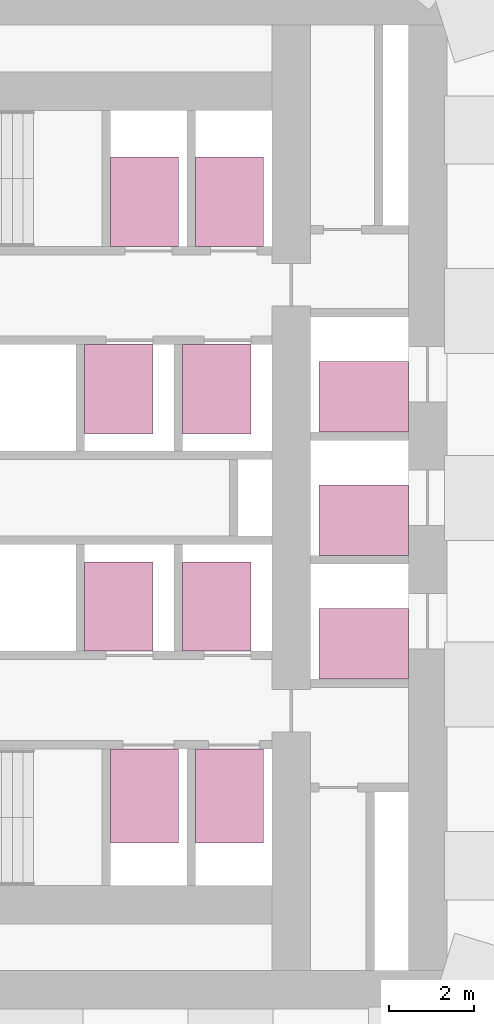
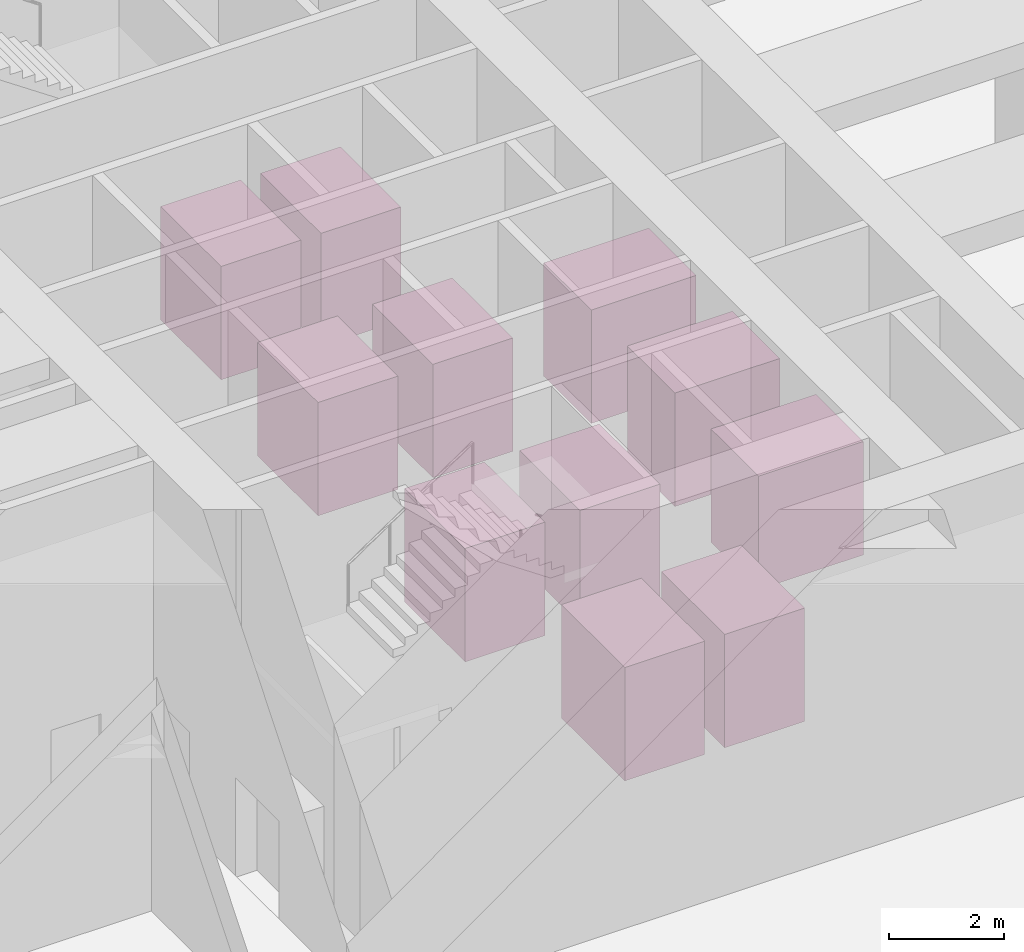
# One storey, part 60 of 60: 11 transport elements.
"""IFC4 building model written with IfcOpenShell, lengths in metres."""

from ifc_helpers import new_model, si_unit, direction, frame, origin, origin_2d, place, context, subcontext, project, spatial, rectangle, extrude, material, type_object, element, save


model = new_model("IFC4")

# Units and contexts
model_context = context("Model", 3, precision=1e-05, world=origin(), true_north=direction((0.0, 1.0)))
body_context = subcontext(model_context, "Body", "Model", "MODEL_VIEW")
ifc_project = project(units=[si_unit("LENGTHUNIT", "METRE"), si_unit("AREAUNIT", "SQUARE_METRE"), si_unit("VOLUMEUNIT", "CUBIC_METRE"), si_unit("PLANEANGLEUNIT", "RADIAN"), si_unit("MASSUNIT", "GRAM", prefix="KILO")], contexts=[model_context])

# Site, building, storey
site_placement = place(None, origin())
site = spatial("IfcSite", under=ifc_project, at=site_placement, CompositionType="ELEMENT")
building_placement = place(site_placement, origin())
building = spatial("IfcBuilding", under=site, at=building_placement, Name="Taillehof Tower", CompositionType="ELEMENT")
storey_placement = place(building_placement, origin())
storey = spatial("IfcBuildingStorey", under=building, at=storey_placement, Name="L00", CompositionType="ELEMENT", Elevation=0.0)

# Transport elements
ifc_material_1 = material(Name="Stainless steel", Category="steel")
transport_element_type_1 = type_object("IfcTransportElementType", Name="Lift LR 1600 kg car 1600x2100", PredefinedType="ELEVATOR", material=ifc_material_1)
for number, where, z_axis, x_axis, name in (
    (1, (12.10009765625, 6.949951171875, 0.0), (0.0, 0.0, 1.0), (1.0, 0.0, 0.0), "Lift LR1"),
    (2, (14.10009765625, 6.949951171875, 0.0), (0.0, 0.0, 1.0), (1.0, 0.0, 0.0), "Lift LR2"),
    (3, (11.5, 2.550048828125, 0.0), (0.0, 0.0, 1.0), (1.0, 0.0, 0.0), "Lift LR3"),
    (4, (13.800048828125, 2.550048828125, 0.0), (0.0, 0.0, 1.0), (1.0, 0.0, 0.0), "Lift LR4"),
    (5, (11.5, -2.550048828125, 0.0), (0.0, 0.0, 1.0), (1.0, 0.0, 0.0), "Lift LR5"),
    (6, (13.800048828125, -2.550048828125, 0.0), (0.0, 0.0, 1.0), (1.0, 0.0, 0.0), "Lift LR6"),
):
    element("IfcTransportElement", number, at=place(storey_placement, frame(where, z_axis=z_axis, x_axis=x_axis)), inside=storey, type_object=transport_element_type_1, Name=name, PredefinedType="ELEVATOR", context=body_context, shape_type="SweptSolid", body=[
        extrude(rectangle(XDim=1.60009765625, YDim=2.10009765625, at=origin_2d()), origin(), (0.0, 0.0, 1.0), 2.39990234375),
    ])
ifc_material_2 = material(Name="Stainless steel", Category="steel")
transport_element_type_2 = type_object("IfcTransportElementType", Name="Lift OB 1600 kg car 1600x2200", PredefinedType="ELEVATOR", material=ifc_material_2)
for number, where, z_axis, x_axis, name in (
    (7, (12.10009765625, -7.0, 0.0), (0.0, 0.0, 1.0), (1.0, 0.0, 0.0), "Lift OB1"),
    (8, (14.10009765625, -7.0, 0.0), (0.0, 0.0, 1.0), (1.0, 0.0, 0.0), "Lift OB2"),
):
    element("IfcTransportElement", number, at=place(storey_placement, frame(where, z_axis=z_axis, x_axis=x_axis)), inside=storey, type_object=transport_element_type_2, Name=name, PredefinedType="ELEVATOR", context=body_context, shape_type="SweptSolid", body=[
        extrude(rectangle(XDim=1.60009765625, YDim=2.199951171875, at=origin_2d()), origin(), (0.0, 0.0, 1.0), 2.39990234375),
    ])
ifc_material_3 = material(Name="Stainless steel", Category="steel")
transport_element_type_3 = type_object("IfcTransportElementType", Name="Lift SH 1600 kg car 1650x2100", PredefinedType="ELEVATOR", material=ifc_material_3)
for number, where, z_axis, x_axis, name in (
    (9, (17.25, -3.425048828125, 0.0), (0.0, 0.0, 1.0), (1.0, 0.0, 0.0), "Lift SH1"),
    (10, (17.25, -0.52490234375, 0.0), (0.0, 0.0, 1.0), (1.0, 0.0, 0.0), "Lift SH2"),
    (11, (17.25, 2.375, 0.0), (0.0, 0.0, 1.0), (1.0, 0.0, 0.0), "Lift SH3"),
):
    element("IfcTransportElement", number, at=place(storey_placement, frame(where, z_axis=z_axis, x_axis=x_axis)), inside=storey, type_object=transport_element_type_3, Name=name, PredefinedType="ELEVATOR", context=body_context, shape_type="SweptSolid", body=[
        extrude(rectangle(XDim=2.10009765625, YDim=1.64990234375, at=origin_2d()), origin(), (0.0, 0.0, 1.0), 2.39990234375),
    ])

save(model, "model.ifc")
